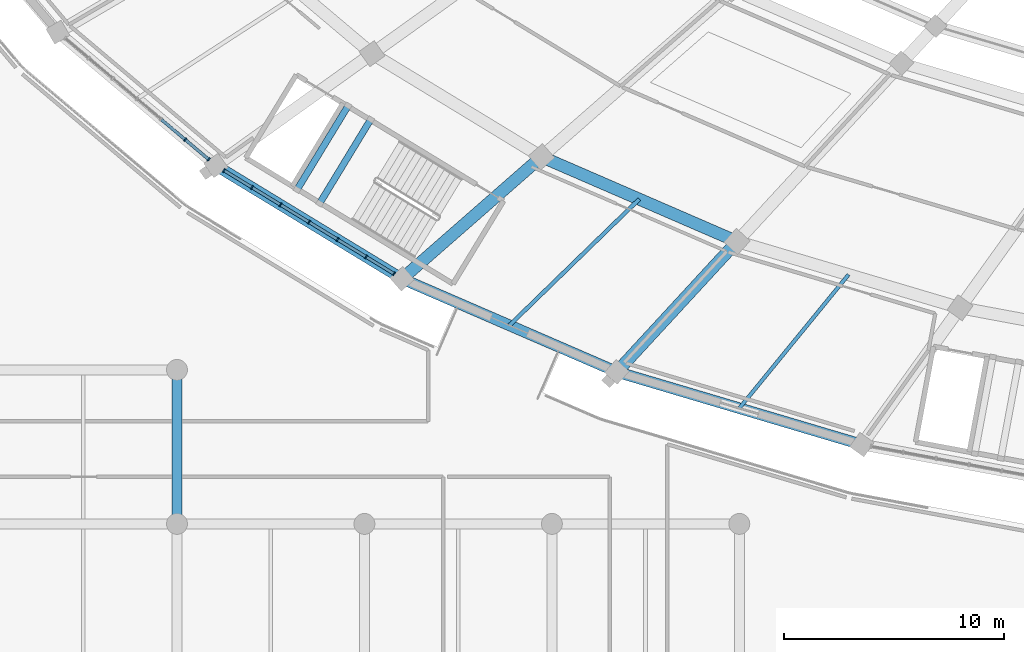
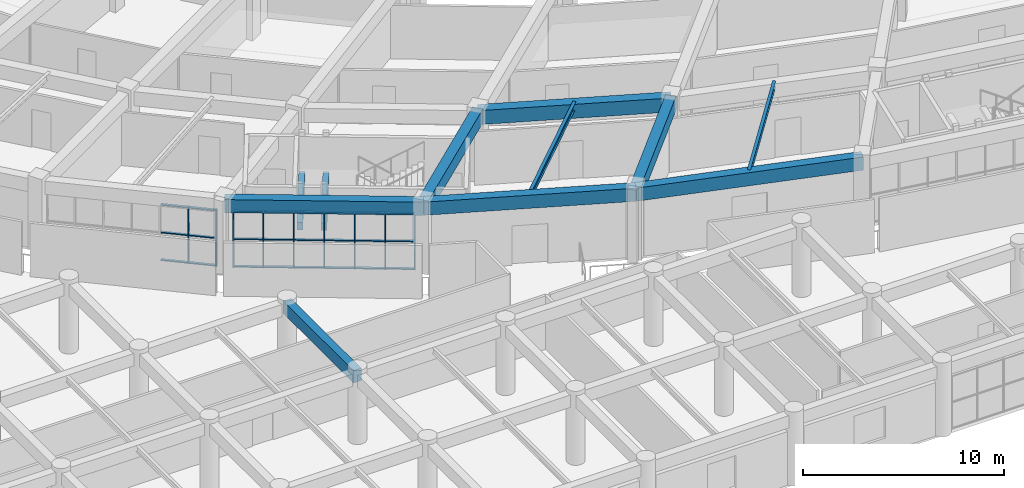
# One storey, part 15 of 145: 33 members, 11 beams, 2 elements without a shape of their own.
"""IFC4 building model written with IfcOpenShell, lengths in metres."""

import ifcopenshell
import ifcopenshell.guid

model = None  # the IFC model being written
_history = None  # IfcOwnerHistory: only IFC2X3 demands one
_inside = {}  # id of a spatial element -> (the spatial element, [elements in it])
_under = {}  # id of a project, library or spatial element -> (it, [spatial elements below it])
_declared = {}  # id of a project -> (the project, [libraries it declares])
_typed = {}  # id of a type object -> (the type object, [elements of that type])
_made_of = {}  # id of a material, layer set ... -> (it, [elements and type objects made of it])


def new_model(schema):
    """Start an empty IFC model of exactly this schema.

    Asked for "IFC4X3", IfcOpenShell would pick the latest addendum, in which some entities
    have other attributes; the version numbers below select the first issue.
    IFC2X3 requires an IfcOwnerHistory on every rooted entity: one is made here for all.
    """
    global model, _history
    if schema == "IFC4X3":
        model = ifcopenshell.file(schema_version=(4, 3, 0, 0))
    else:
        model = ifcopenshell.file(schema=schema)
    _inside.clear()
    _under.clear()
    _declared.clear()
    _typed.clear()
    _made_of.clear()
    _history = None
    if model.schema == "IFC2X3":
        org = make("IfcOrganization", Name="unknown")
        user = make(
            "IfcPersonAndOrganization",
            ThePerson=make("IfcPerson", FamilyName="unknown"),
            TheOrganization=org,
        )
        app = make(
            "IfcApplication",
            ApplicationDeveloper=org,
            Version="unknown",
            ApplicationFullName="unknown",
            ApplicationIdentifier="unknown",
        )
        _history = make(
            "IfcOwnerHistory",
            OwningUser=user,
            OwningApplication=app,
            ChangeAction="ADDED",
            CreationDate=0,
        )
    return model


def make(cls, **values):
    """One entity of the class cls with the attributes given. An attribute that is None is left unset."""
    return model.create_entity(
        cls, **{name: value for name, value in values.items() if value is not None}
    )


def rooted(cls, **values):
    """An entity with a GlobalId (a new one), such as an element, a storey or a relation."""
    return make(cls, GlobalId=ifcopenshell.guid.new(), OwnerHistory=_history, **values)


def si_unit(unit_type, name, prefix=None):
    """IfcSIUnit, for example si_unit("LENGTHUNIT", "METRE", prefix="MILLI")."""
    return make("IfcSIUnit", UnitType=unit_type, Prefix=prefix, Name=name)


def assignment(units):
    """IfcUnitAssignment: the units of a project."""
    return None if units is None else make("IfcUnitAssignment", Units=units)


def point(xyz):
    """IfcCartesianPoint."""
    return None if xyz is None else make("IfcCartesianPoint", Coordinates=xyz)


def direction(xyz):
    """IfcDirection."""
    return None if xyz is None else make("IfcDirection", DirectionRatios=xyz)


def frame(location, z_axis=None, x_axis=None):
    """IfcAxis2Placement3D, a coordinate frame: its origin and axes. An axis left out is left unset."""
    return make(
        "IfcAxis2Placement3D",
        Location=point(location),
        Axis=direction(z_axis),
        RefDirection=direction(x_axis),
    )


def frame_2d(location, x_axis=None):
    """IfcAxis2Placement2D, a coordinate frame in the plane: its origin and x axis."""
    return make(
        "IfcAxis2Placement2D", Location=point(location), RefDirection=direction(x_axis)
    )


def origin():
    """The frame at (0, 0, 0) with its axes left unset."""
    return frame((0.0, 0.0, 0.0))


def origin_2d():
    """The frame at (0, 0) in the plane with its x axis left unset."""
    return frame_2d((0.0, 0.0))


def place(relative_to, where):
    """IfcLocalPlacement: puts the frame where relative to a parent placement (None: the world)."""
    return make(
        "IfcLocalPlacement", PlacementRelTo=relative_to, RelativePlacement=where
    )


def context(
    kind, dimensions, precision=None, world=None, true_north=None, identifier=None
):
    """IfcGeometricRepresentationContext, for example the 3D "Model" context."""
    return make(
        "IfcGeometricRepresentationContext",
        ContextIdentifier=identifier,
        ContextType=kind,
        CoordinateSpaceDimension=dimensions,
        Precision=precision,
        WorldCoordinateSystem=world,
        TrueNorth=true_north,
    )


def subcontext(parent, identifier, kind, view, scale=None):
    """IfcGeometricRepresentationSubContext, for example "Body" below "Model"."""
    return make(
        "IfcGeometricRepresentationSubContext",
        ContextIdentifier=identifier,
        ContextType=kind,
        ParentContext=parent,
        TargetScale=scale,
        TargetView=view,
    )


def project(units=None, contexts=None):
    """IfcProject with its units and contexts."""
    return rooted(
        "IfcProject",
        Name="project",
        RepresentationContexts=contexts,
        UnitsInContext=assignment(units),
    )


def spatial(cls, under=None, at=None, **own):
    """A site, building, storey or space (cls), placed at a placement, below another one or the project."""
    s = rooted(cls, ObjectPlacement=at, **own)
    if under is not None:
        _under.setdefault(under.id(), (under, []))[1].append(s)
    return s


def profile(cls, at=None, kind="AREA", **sizes):
    """A parametric profile (cls). Its sizes go by their IFC names, for example OverallWidth=200.0."""
    return make(cls, ProfileType=kind, Position=at, **sizes)


def rectangle(**sizes):
    """IfcRectangleProfileDef."""
    return profile("IfcRectangleProfileDef", **sizes)


def i_section(**sizes):
    """IfcIShapeProfileDef."""
    return profile("IfcIShapeProfileDef", **sizes)


def extrude(swept, where, along, depth):
    """IfcExtrudedAreaSolid: the profile swept, set in the frame where, extruded along a direction by depth."""
    return make(
        "IfcExtrudedAreaSolid",
        SweptArea=swept,
        Position=where,
        ExtrudedDirection=direction(along),
        Depth=depth,
    )


def shape(context_of_items, identifier, shape_type, items):
    """IfcShapeRepresentation: the items that make up one representation, for example the "Body"."""
    return make(
        "IfcShapeRepresentation",
        ContextOfItems=context_of_items,
        RepresentationIdentifier=identifier,
        RepresentationType=shape_type,
        Items=items,
    )


def material(Name=None, Category=None):
    """IfcMaterial."""
    return make("IfcMaterial", Name=Name, Category=Category)


def layer(
    of_material, thickness, ventilated=None, Name=None, Category=None, Priority=None
):
    """IfcMaterialLayer: one layer of a wall or slab, of a material (None: an air gap)."""
    return make(
        "IfcMaterialLayer",
        Material=of_material,
        LayerThickness=thickness,
        IsVentilated=ventilated,
        Name=Name,
        Category=Category,
        Priority=Priority,
    )


def layer_set(layers, Name=None):
    """IfcMaterialLayerSet."""
    return make("IfcMaterialLayerSet", MaterialLayers=layers, LayerSetName=Name)


def material_profile(
    of_material, cross_section, Name=None, Category=None, Priority=None
):
    """IfcMaterialProfile: a cross section and its material."""
    return make(
        "IfcMaterialProfile",
        Name=Name,
        Material=of_material,
        Profile=cross_section,
        Priority=Priority,
        Category=Category,
    )


def profile_set(profiles, Name=None, composite=None):
    """IfcMaterialProfileSet."""
    return make(
        "IfcMaterialProfileSet",
        Name=Name,
        MaterialProfiles=profiles,
        CompositeProfile=composite,
    )


def made_of(thing, what):
    """Note that an element or type object is made of a material, layer set ...; save() writes the relation."""
    if what is not None:
        _made_of.setdefault(what.id(), (what, []))[1].append(thing)
    return thing


def type_object(cls, material=None, **own):
    """A type object (cls), such as IfcWallType, which elements share."""
    return made_of(rooted(cls, **own), material)


def element(
    cls,
    number,
    at=None,
    inside=None,
    cuts=None,
    type_object=None,
    material=None,
    context=None,
    identifier="Body",
    shape_type=None,
    held_by="IfcProductDefinitionShape",
    body=None,
    shapes=None,
    **own,
):
    """One element of the class cls, such as IfcWall. Its Tag is "e" and its number.

    at: its placement. inside: the storey or other place that contains it. cuts: it is an
    opening in that element (IfcRelVoidsElement). A single representation is given by context,
    identifier, shape_type and body (its items); several are given by shapes. held_by: the class
    of the entity that holds the representations. save() writes the other relations.
    """
    e = rooted(cls, Tag="e%d" % number, ObjectPlacement=at, **own)
    if body is not None:
        shapes = [shape(context, identifier, shape_type, body)]
    if shapes is not None:
        e.Representation = make(held_by, Representations=shapes)
    if inside is not None:
        _inside.setdefault(inside.id(), (inside, []))[1].append(e)
    if cuts is not None:
        rooted(
            "IfcRelVoidsElement", RelatingBuildingElement=cuts, RelatedOpeningElement=e
        )
    if type_object is not None:
        _typed.setdefault(type_object.id(), (type_object, []))[1].append(e)
    return made_of(e, material)


def aggregate(whole, parts):
    """IfcRelAggregates: a whole, such as a stair, and the parts it consists of."""
    return rooted("IfcRelAggregates", RelatingObject=whole, RelatedObjects=parts)


def save(model, path):
    """Write the relations noted so far, then the file.

    IfcRelAggregates (storeys below a building ...), IfcRelContainedInSpatialStructure (elements
    in a storey), IfcRelDefinesByType, IfcRelAssociatesMaterial and IfcRelDeclares: one each for
    every whole, place, type object, material and project.
    """
    for whole, parts in _under.values():
        aggregate(whole, parts)
    for where, things in _inside.values():
        rooted(
            "IfcRelContainedInSpatialStructure",
            RelatedElements=things,
            RelatingStructure=where,
        )
    for kind, things in _typed.values():
        rooted("IfcRelDefinesByType", RelatedObjects=things, RelatingType=kind)
    for what, things in _made_of.values():
        rooted("IfcRelAssociatesMaterial", RelatedObjects=things, RelatingMaterial=what)
    for by, libraries in _declared.values():
        rooted("IfcRelDeclares", RelatingContext=by, RelatedDefinitions=libraries)
    model.write(path)


model = new_model("IFC4")

# Units and contexts
model_context = context("Model", 3, precision=1e-05, world=origin(), true_north=direction((0.0, 1.0)))
body_context = subcontext(model_context, "Body", "Model", "MODEL_VIEW")
ifc_project = project(units=[si_unit("LENGTHUNIT", "METRE"), si_unit("AREAUNIT", "SQUARE_METRE"), si_unit("VOLUMEUNIT", "CUBIC_METRE"), si_unit("PLANEANGLEUNIT", "RADIAN"), si_unit("MASSUNIT", "GRAM", prefix="KILO")], contexts=[model_context])

# Site, building, storey
site_placement = place(None, origin())
site = spatial("IfcSite", under=ifc_project, at=site_placement, CompositionType="ELEMENT")
building_placement = place(site_placement, origin())
building = spatial("IfcBuilding", under=site, at=building_placement, Name="Mphavela Belvedere Stadium", CompositionType="ELEMENT")
storey_placement = place(building_placement, frame((0.0, 0.0, 10.199951171875)))
storey = spatial("IfcBuildingStorey", under=building, at=storey_placement, Name="L02", CompositionType="ELEMENT", Elevation=10.199951171875)

# Beams
ifc_material_1 = material(Name="Steel S355", Category="steel")
ifc_material_profile_1 = material_profile(ifc_material_1, i_section(OverallWidth=0.169921875, OverallDepth=0.360107421875, WebThickness=0.008056640625, FlangeThickness=0.0126953125, at=origin_2d()), Name="IPE 360")
ifc_profile_set_1 = profile_set([ifc_material_profile_1], Name="Steel S355")
beam_type_1 = type_object("IfcBeamType", Name="BM-JOIST-IPE360", PredefinedType="JOIST", material=ifc_profile_set_1)
beam_1_placement = place(storey_placement, frame((64.593017578125, 25.327392578125, 4.070068359375), z_axis=(-0.632839277586, -0.774283183818, 0.0), x_axis=(0.774283183818, -0.632839277586, 0.0)))
element("IfcBeam", 1, at=beam_1_placement, inside=storey, type_object=beam_type_1, Name="Concourse floor joist L02-33", PredefinedType="JOIST", context=body_context, shape_type="SweptSolid", body=[
    extrude(i_section(OverallWidth=0.169921875, OverallDepth=0.360107421875, WebThickness=0.008056640625, FlangeThickness=0.0126953125, at=origin_2d()), origin(), (0.0, 0.0, 1.0), 7.841552734375),
])
ifc_material_2 = material(Name="Steel S355", Category="steel")
ifc_material_profile_2 = material_profile(ifc_material_2, i_section(OverallWidth=0.179931640625, OverallDepth=0.39990234375, WebThickness=0.008544921875, FlangeThickness=0.013427734375, at=origin_2d()), Name="IPE 400")
ifc_profile_set_2 = profile_set([ifc_material_profile_2], Name="Steel S355")
beam_type_2 = type_object("IfcBeamType", Name="BM-JOIST-IPE400", PredefinedType="JOIST", material=ifc_profile_set_2)
beam_2_placement = place(storey_placement, frame((55.081787109375, 28.757568359375, 4.050048828125), z_axis=(-0.717067022089, -0.697004222249, 0.0), x_axis=(0.697004222249, -0.717067022089, 0.0)))
element("IfcBeam", 2, at=beam_2_placement, inside=storey, type_object=beam_type_2, Name="Concourse floor joist L02-32", PredefinedType="JOIST", context=body_context, shape_type="SweptSolid", body=[
    extrude(i_section(OverallWidth=0.179931640625, OverallDepth=0.39990234375, WebThickness=0.008544921875, FlangeThickness=0.013427734375, at=origin_2d()), origin(), (0.0, 0.0, 1.0), 8.22607421875),
])
ifc_material_3 = material(Name="Concrete C40/50", Category="concrete")
ifc_material_profile_3 = material_profile(ifc_material_3, rectangle(XDim=0.300048828125, YDim=0.449951171875, at=origin_2d()), Name="RC 300x450")
ifc_profile_set_3 = profile_set([ifc_material_profile_3], Name="Concrete C40/50")
beam_type_3 = type_object("IfcBeamType", Name="BM-RC300x450", PredefinedType="BEAM", material=ifc_profile_set_3)
for number, where, z_axis, x_axis, name in (
    (3, (42.879150390625, 32.381591796875, 1.824951171875), (-0.519674893272, -0.854364094109, 0.0), (0.854364094109, -0.519674893272, 0.0), "Core C10 landing trimmer beam L02-1"),
    (4, (41.85400390625, 33.005126953125, 1.824951171875), (-0.519674893272, -0.854364094109, 0.0), (0.854364094109, -0.519674893272, 0.0), "Core C10 landing trimmer beam L02-2"),
):
    element("IfcBeam", number, at=place(storey_placement, frame(where, z_axis=z_axis, x_axis=x_axis)), inside=storey, type_object=beam_type_3, Name=name, PredefinedType="BEAM", context=body_context, shape_type="SweptSolid", body=[
        extrude(rectangle(XDim=0.300048828125, YDim=0.449951171875, at=origin_2d()), origin(), (0.0, 0.0, 1.0), 4.47021484375),
    ])
ifc_material_4 = material(Name="Concrete C40/50", Category="concrete")
ifc_material_profile_4 = material_profile(ifc_material_4, rectangle(XDim=0.449951171875, YDim=0.75, at=origin_2d()), Name="RC 450x750")
ifc_profile_set_4 = profile_set([ifc_material_profile_4], Name="Concrete C40/50")
beam_type_4 = type_object("IfcBeamType", Name="BM-RC450x750", PredefinedType="BEAM", material=ifc_profile_set_4)
beam_3_placement = place(storey_placement, frame((34.073974609375, 14.0, 3.864990234375), z_axis=(0.0, 1.0, 0.0), x_axis=(-1.0, 0.0, 0.0)))
element("IfcBeam", 5, at=beam_3_placement, inside=storey, type_object=beam_type_4, Name="South Axial Triumphal Peristyle Portico entablature beam Y L02 5-3", PredefinedType="BEAM", context=body_context, shape_type="SweptSolid", body=[
    extrude(rectangle(XDim=0.449951171875, YDim=0.75, at=origin_2d()), origin(), (0.0, 0.0, 1.0), 7.0),
])
ifc_material_5 = material(Name="Concrete C40/50", Category="concrete")
ifc_material_profile_5 = material_profile(ifc_material_5, rectangle(XDim=0.550048828125, YDim=0.85009765625, at=origin_2d()), Name="RC 550x850")
ifc_profile_set_5 = profile_set([ifc_material_profile_5], Name="Concrete C40/50")
beam_type_5 = type_object("IfcBeamType", Name="BM-RC550x850", PredefinedType="BEAM", material=ifc_profile_set_5)
beam_4_placement = place(storey_placement, frame((50.639892578125, 30.68310546875, 3.824951171875), z_axis=(0.917501650019, -0.397731972832, 0.0), x_axis=(0.397731972832, 0.917501650019, 0.0)))
element("IfcBeam", 6, at=beam_4_placement, inside=storey, type_object=beam_type_5, Name="Circumferential girder L02 R3-32", PredefinedType="BEAM", context=body_context, shape_type="SweptSolid", body=[
    extrude(rectangle(XDim=0.550048828125, YDim=0.85009765625, at=origin_2d()), origin(), (0.0, 0.0, 1.0), 9.6826171875),
])
beam_5_placement = place(storey_placement, frame((50.639892578125, 30.68310546875, 3.824951171875), z_axis=(-0.752589268993, -0.658490236978, 0.0), x_axis=(0.658490236978, -0.752589268993, 0.0)))
element("IfcBeam", 7, at=beam_5_placement, inside=storey, type_object=beam_type_5, Name="Radial concourse girder L02 R3R4-32", PredefinedType="BEAM", context=body_context, shape_type="SweptSolid", body=[
    extrude(rectangle(XDim=0.550048828125, YDim=0.85009765625, at=origin_2d()), origin(), (0.0, 0.0, 1.0), 8.419189453125),
])
beam_6_placement = place(storey_placement, frame((59.523681640625, 26.83203125, 3.824951171875), z_axis=(-0.67784325477, -0.735206448532, 0.0), x_axis=(0.735206448532, -0.67784325477, 0.0)))
element("IfcBeam", 8, at=beam_6_placement, inside=storey, type_object=beam_type_5, Name="Radial concourse girder L02 R3R4-33", PredefinedType="BEAM", context=body_context, shape_type="SweptSolid", body=[
    extrude(rectangle(XDim=0.550048828125, YDim=0.85009765625, at=origin_2d()), origin(), (0.0, 0.0, 1.0), 8.056640625),
])
ifc_material_6 = material(Name="Concrete C40/50", Category="concrete")
ifc_material_profile_6 = material_profile(ifc_material_6, rectangle(XDim=0.5, YDim=0.800048828125, at=origin_2d()), Name="RC 500x800")
ifc_profile_set_6 = profile_set([ifc_material_profile_6], Name="Concrete C40/50")
beam_type_6 = type_object("IfcBeamType", Name="BM-SPANDREL-800", PredefinedType="SPANDREL", material=ifc_profile_set_6)
beam_7_placement = place(storey_placement, frame((35.844482421875, 30.285400390625, 3.85009765625), z_axis=(0.854326607994, -0.51973651678, 0.0), x_axis=(0.51973651678, 0.854326607994, 0.0)))
element("IfcBeam", 9, at=beam_7_placement, inside=storey, type_object=beam_type_6, Name="Circumferential girder L02 R4-31", PredefinedType="SPANDREL", context=body_context, shape_type="SweptSolid", body=[
    extrude(rectangle(XDim=0.5, YDim=0.800048828125, at=origin_2d()), origin(), (0.0, 0.0, 1.0), 9.901611328125),
])
beam_8_placement = place(storey_placement, frame((44.3037109375, 25.13916015625, 3.85009765625), z_axis=(0.91749867224, -0.397738842004, 0.0), x_axis=(0.397738842004, 0.91749867224, 0.0)))
element("IfcBeam", 10, at=beam_8_placement, inside=storey, type_object=beam_type_6, Name="Circumferential girder L02 R4-32", PredefinedType="SPANDREL", context=body_context, shape_type="SweptSolid", body=[
    extrude(rectangle(XDim=0.5, YDim=0.800048828125, at=origin_2d()), origin(), (0.0, 0.0, 1.0), 10.63623046875),
])
beam_9_placement = place(storey_placement, frame((54.0625, 20.90869140625, 3.85009765625), z_axis=(0.958656362639, -0.284566298727, 0.0), x_axis=(0.284566298727, 0.958656362639, 0.0)))
element("IfcBeam", 11, at=beam_9_placement, inside=storey, type_object=beam_type_6, Name="Circumferential girder L02 R4-33", PredefinedType="SPANDREL", context=body_context, shape_type="SweptSolid", body=[
    extrude(rectangle(XDim=0.5, YDim=0.800048828125, at=origin_2d()), origin(), (0.0, 0.0, 1.0), 11.616455078125),
])

# Curtain wall, members
ifc_material_7 = material(Name="Anodised bronze unitised curtain wall framing")
ifc_layer_1 = layer(ifc_material_7, 0.205078125)
ifc_layer_set_1 = layer_set([ifc_layer_1], Name="Anodised bronze unitised curtain wall framing")
curtain_wall_type_1 = type_object("IfcCurtainWallType", Name="CW-UNIT-06", PredefinedType="USERDEFINED", material=ifc_layer_set_1)
curtain_wall_1_placement = place(storey_placement, origin())
curtain_wall_1 = element("IfcCurtainWall", 12, at=curtain_wall_1_placement, inside=storey, type_object=curtain_wall_type_1, Name="Belvedere colonnade curtain wall L02-30", ObjectType="UNITISED CURTAIN WALL", PredefinedType="USERDEFINED")
ifc_material_8 = material(Name="Anodised bronze extruded aluminium", Category="aluminium")
ifc_material_profile_7 = material_profile(ifc_material_8, rectangle(XDim=0.179931640625, YDim=0.06494140625, at=origin_2d()), Name="CW-MUL 180x65")
ifc_profile_set_7 = profile_set([ifc_material_profile_7], Name="Anodised bronze extruded aluminium")
member_type_1 = type_object("IfcMemberType", Name="CWM-180x65", PredefinedType="MULLION", material=ifc_profile_set_7)
member_1_placement = place(storey_placement, frame((34.444580078125, 31.466796875, 0.0), z_axis=(0.0, 0.0, 1.0), x_axis=(0.644907225915, 0.764260865126, 0.0)))
member_1 = element("IfcMember", 13, at=member_1_placement, type_object=member_type_1, Name="CW-06 mullion 6", PredefinedType="MULLION", context=body_context, shape_type="SweptSolid", body=[
    extrude(rectangle(XDim=0.179931640625, YDim=0.06494140625, at=origin_2d()), origin(), (0.0, 0.0, 1.0), 3.420166015625),
])
member_2_placement = place(storey_placement, frame((35.515380859375, 30.563232421875, 0.0), z_axis=(0.0, 0.0, 1.0), x_axis=(0.644907225915, 0.764260865126, 0.0)))
member_2 = element("IfcMember", 14, at=member_2_placement, type_object=member_type_1, Name="CW-06 mullion 7", PredefinedType="MULLION", context=body_context, shape_type="SweptSolid", body=[
    extrude(rectangle(XDim=0.179931640625, YDim=0.06494140625, at=origin_2d()), origin(), (0.0, 0.0, 1.0), 3.420166015625),
])

ifc_material_9 = material(Name="Anodised bronze unitised curtain wall framing")
ifc_layer_2 = layer(ifc_material_9, 0.179931640625)
ifc_layer_set_2 = layer_set([ifc_layer_2], Name="Anodised bronze unitised curtain wall framing")
curtain_wall_type_2 = type_object("IfcCurtainWallType", Name="CW-UNIT-01", PredefinedType="USERDEFINED", material=ifc_layer_set_2)
curtain_wall_2_placement = place(storey_placement, origin())
curtain_wall_2 = element("IfcCurtainWall", 15, at=curtain_wall_2_placement, inside=storey, type_object=curtain_wall_type_2, Name="Belvedere colonnade curtain wall L02-31", ObjectType="UNITISED CURTAIN WALL", PredefinedType="USERDEFINED")
member_3_placement = place(storey_placement, frame((36.212158203125, 30.061767578125, 0.0), z_axis=(0.0, 0.0, 1.0), x_axis=(0.519731623633, 0.85432958476, 0.0)))
member_3 = element("IfcMember", 16, at=member_3_placement, type_object=member_type_1, Name="CW-01 mullion 1", PredefinedType="MULLION", context=body_context, shape_type="SweptSolid", body=[
    extrude(rectangle(XDim=0.179931640625, YDim=0.06494140625, at=origin_2d()), origin(), (0.0, 0.0, 1.0), 3.420166015625),
])
member_4_placement = place(storey_placement, frame((37.48095703125, 29.289794921875, 0.0), z_axis=(0.0, 0.0, 1.0), x_axis=(0.519731623633, 0.85432958476, 0.0)))
member_4 = element("IfcMember", 17, at=member_4_placement, type_object=member_type_1, Name="CW-01 mullion 2", PredefinedType="MULLION", context=body_context, shape_type="SweptSolid", body=[
    extrude(rectangle(XDim=0.179931640625, YDim=0.06494140625, at=origin_2d()), origin(), (0.0, 0.0, 1.0), 3.420166015625),
])
member_5_placement = place(storey_placement, frame((38.777587890625, 28.5009765625, 0.0), z_axis=(0.0, 0.0, 1.0), x_axis=(0.519731623633, 0.85432958476, 0.0)))
member_5 = element("IfcMember", 18, at=member_5_placement, type_object=member_type_1, Name="CW-01 mullion 3", PredefinedType="MULLION", context=body_context, shape_type="SweptSolid", body=[
    extrude(rectangle(XDim=0.179931640625, YDim=0.06494140625, at=origin_2d()), origin(), (0.0, 0.0, 1.0), 3.420166015625),
])
member_6_placement = place(storey_placement, frame((40.07421875, 27.71240234375, 0.0), z_axis=(0.0, 0.0, 1.0), x_axis=(0.519731623633, 0.85432958476, 0.0)))
member_6 = element("IfcMember", 19, at=member_6_placement, type_object=member_type_1, Name="CW-01 mullion 4", PredefinedType="MULLION", context=body_context, shape_type="SweptSolid", body=[
    extrude(rectangle(XDim=0.179931640625, YDim=0.06494140625, at=origin_2d()), origin(), (0.0, 0.0, 1.0), 3.420166015625),
])
member_7_placement = place(storey_placement, frame((41.37060546875, 26.923583984375, 0.0), z_axis=(0.0, 0.0, 1.0), x_axis=(0.519731623633, 0.85432958476, 0.0)))
member_7 = element("IfcMember", 20, at=member_7_placement, type_object=member_type_1, Name="CW-01 mullion 5", PredefinedType="MULLION", context=body_context, shape_type="SweptSolid", body=[
    extrude(rectangle(XDim=0.179931640625, YDim=0.06494140625, at=origin_2d()), origin(), (0.0, 0.0, 1.0), 3.420166015625),
])
member_8_placement = place(storey_placement, frame((42.667236328125, 26.134765625, 0.0), z_axis=(0.0, 0.0, 1.0), x_axis=(0.519731623633, 0.85432958476, 0.0)))
member_8 = element("IfcMember", 21, at=member_8_placement, type_object=member_type_1, Name="CW-01 mullion 6", PredefinedType="MULLION", context=body_context, shape_type="SweptSolid", body=[
    extrude(rectangle(XDim=0.179931640625, YDim=0.06494140625, at=origin_2d()), origin(), (0.0, 0.0, 1.0), 3.420166015625),
])
member_9_placement = place(storey_placement, frame((43.93603515625, 25.36279296875, 0.0), z_axis=(0.0, 0.0, 1.0), x_axis=(0.519731623633, 0.85432958476, 0.0)))
member_9 = element("IfcMember", 22, at=member_9_placement, type_object=member_type_1, Name="CW-01 mullion 7", PredefinedType="MULLION", context=body_context, shape_type="SweptSolid", body=[
    extrude(rectangle(XDim=0.179931640625, YDim=0.06494140625, at=origin_2d()), origin(), (0.0, 0.0, 1.0), 3.420166015625),
])

# Member
ifc_material_10 = material(Name="Anodised bronze extruded aluminium", Category="aluminium")
ifc_material_profile_8 = material_profile(ifc_material_10, rectangle(XDim=0.139892578125, YDim=0.06005859375, at=origin_2d()), Name="CW-TRN 140x60")
ifc_profile_set_8 = profile_set([ifc_material_profile_8], Name="Anodised bronze extruded aluminium")
member_type_2 = type_object("IfcMemberType", Name="CWT-140x60", PredefinedType="USERDEFINED", material=ifc_profile_set_8)
member_10_placement = place(storey_placement, frame((33.37353515625, 32.370361328125, 0.030029296875), z_axis=(0.764332692147, -0.644822096175, 0.0), x_axis=(0.644822096175, 0.764332692147, 0.0)))
member_10 = element("IfcMember", 23, at=member_10_placement, type_object=member_type_2, Name="CW-06 transom 5.1", ObjectType="TRANSOM", PredefinedType="USERDEFINED", context=body_context, shape_type="SweptSolid", body=[
    extrude(rectangle(XDim=0.139892578125, YDim=0.06005859375, at=origin_2d()), origin(), (0.0, 0.0, 1.0), 1.36865234375),
])

member_11_placement = place(storey_placement, frame((33.37353515625, 32.370361328125, 1.7099609375), z_axis=(0.764332692147, -0.644822096175, 0.0), x_axis=(0.644822096175, 0.764332692147, 0.0)))
member_11 = element("IfcMember", 24, at=member_11_placement, type_object=member_type_2, Name="CW-06 transom 5.2", ObjectType="TRANSOM", PredefinedType="USERDEFINED", context=body_context, shape_type="SweptSolid", body=[
    extrude(rectangle(XDim=0.139892578125, YDim=0.06005859375, at=origin_2d()), origin(), (0.0, 0.0, 1.0), 1.36865234375),
])

member_12_placement = place(storey_placement, frame((33.37353515625, 32.370361328125, 3.39013671875), z_axis=(0.764332692147, -0.644822096175, 0.0), x_axis=(0.644822096175, 0.764332692147, 0.0)))
member_12 = element("IfcMember", 25, at=member_12_placement, type_object=member_type_2, Name="CW-06 transom 5.3", ObjectType="TRANSOM", PredefinedType="USERDEFINED", context=body_context, shape_type="SweptSolid", body=[
    extrude(rectangle(XDim=0.139892578125, YDim=0.06005859375, at=origin_2d()), origin(), (0.0, 0.0, 1.0), 1.36865234375),
])

member_13_placement = place(storey_placement, frame((34.46923828125, 31.44580078125, 0.030029296875), z_axis=(0.764328068464, -0.644827576766, 0.0), x_axis=(0.644827576766, 0.764328068464, 0.0)))
member_13 = element("IfcMember", 26, at=member_13_placement, type_object=member_type_2, Name="CW-06 transom 6.1", ObjectType="TRANSOM", PredefinedType="USERDEFINED", context=body_context, shape_type="SweptSolid", body=[
    extrude(rectangle(XDim=0.139892578125, YDim=0.06005859375, at=origin_2d()), origin(), (0.0, 0.0, 1.0), 1.336181640625),
])

member_14_placement = place(storey_placement, frame((34.46923828125, 31.44580078125, 1.7099609375), z_axis=(0.764328068464, -0.644827576766, 0.0), x_axis=(0.644827576766, 0.764328068464, 0.0)))
member_14 = element("IfcMember", 27, at=member_14_placement, type_object=member_type_2, Name="CW-06 transom 6.2", ObjectType="TRANSOM", PredefinedType="USERDEFINED", context=body_context, shape_type="SweptSolid", body=[
    extrude(rectangle(XDim=0.139892578125, YDim=0.06005859375, at=origin_2d()), origin(), (0.0, 0.0, 1.0), 1.336181640625),
])

member_15_placement = place(storey_placement, frame((34.46923828125, 31.44580078125, 3.39013671875), z_axis=(0.764328068464, -0.644827576766, 0.0), x_axis=(0.644827576766, 0.764328068464, 0.0)))
member_15 = element("IfcMember", 28, at=member_15_placement, type_object=member_type_2, Name="CW-06 transom 6.3", ObjectType="TRANSOM", PredefinedType="USERDEFINED", context=body_context, shape_type="SweptSolid", body=[
    extrude(rectangle(XDim=0.139892578125, YDim=0.06005859375, at=origin_2d()), origin(), (0.0, 0.0, 1.0), 1.336181640625),
])

aggregate(curtain_wall_1, [member_1, member_2, member_10, member_11, member_12, member_13, member_14, member_15])

member_16_placement = place(storey_placement, frame((36.239990234375, 30.044921875, 0.030029296875), z_axis=(0.8542450285, -0.5198705909, 0.0), x_axis=(0.5198705909, 0.8542450285, 0.0)))
member_16 = element("IfcMember", 29, at=member_16_placement, type_object=member_type_2, Name="CW-01 transom 1.1", ObjectType="TRANSOM", PredefinedType="USERDEFINED", context=body_context, shape_type="SweptSolid", body=[
    extrude(rectangle(XDim=0.139892578125, YDim=0.06005859375, at=origin_2d()), origin(), (0.0, 0.0, 1.0), 1.420166015625),
])

member_17_placement = place(storey_placement, frame((36.239990234375, 30.044921875, 1.7099609375), z_axis=(0.8542450285, -0.5198705909, 0.0), x_axis=(0.5198705909, 0.8542450285, 0.0)))
member_17 = element("IfcMember", 30, at=member_17_placement, type_object=member_type_2, Name="CW-01 transom 1.2", ObjectType="TRANSOM", PredefinedType="USERDEFINED", context=body_context, shape_type="SweptSolid", body=[
    extrude(rectangle(XDim=0.139892578125, YDim=0.06005859375, at=origin_2d()), origin(), (0.0, 0.0, 1.0), 1.420166015625),
])

member_18_placement = place(storey_placement, frame((36.239990234375, 30.044921875, 3.39013671875), z_axis=(0.8542450285, -0.5198705909, 0.0), x_axis=(0.5198705909, 0.8542450285, 0.0)))
member_18 = element("IfcMember", 31, at=member_18_placement, type_object=member_type_2, Name="CW-01 transom 1.3", ObjectType="TRANSOM", PredefinedType="USERDEFINED", context=body_context, shape_type="SweptSolid", body=[
    extrude(rectangle(XDim=0.139892578125, YDim=0.06005859375, at=origin_2d()), origin(), (0.0, 0.0, 1.0), 1.420166015625),
])

member_19_placement = place(storey_placement, frame((37.5087890625, 29.27294921875, 0.030029296875), z_axis=(0.854347821313, -0.519701645387, 0.0), x_axis=(0.519701645387, 0.854347821313, 0.0)))
member_19 = element("IfcMember", 32, at=member_19_placement, type_object=member_type_2, Name="CW-01 transom 2.1", ObjectType="TRANSOM", PredefinedType="USERDEFINED", context=body_context, shape_type="SweptSolid", body=[
    extrude(rectangle(XDim=0.139892578125, YDim=0.06005859375, at=origin_2d()), origin(), (0.0, 0.0, 1.0), 1.45263671875),
])

member_20_placement = place(storey_placement, frame((37.5087890625, 29.27294921875, 1.7099609375), z_axis=(0.854347821313, -0.519701645387, 0.0), x_axis=(0.519701645387, 0.854347821313, 0.0)))
member_20 = element("IfcMember", 33, at=member_20_placement, type_object=member_type_2, Name="CW-01 transom 2.2", ObjectType="TRANSOM", PredefinedType="USERDEFINED", context=body_context, shape_type="SweptSolid", body=[
    extrude(rectangle(XDim=0.139892578125, YDim=0.06005859375, at=origin_2d()), origin(), (0.0, 0.0, 1.0), 1.45263671875),
])

member_21_placement = place(storey_placement, frame((37.5087890625, 29.27294921875, 3.39013671875), z_axis=(0.854347821313, -0.519701645387, 0.0), x_axis=(0.519701645387, 0.854347821313, 0.0)))
member_21 = element("IfcMember", 34, at=member_21_placement, type_object=member_type_2, Name="CW-01 transom 2.3", ObjectType="TRANSOM", PredefinedType="USERDEFINED", context=body_context, shape_type="SweptSolid", body=[
    extrude(rectangle(XDim=0.139892578125, YDim=0.06005859375, at=origin_2d()), origin(), (0.0, 0.0, 1.0), 1.45263671875),
])

member_22_placement = place(storey_placement, frame((38.805419921875, 28.484130859375, 0.030029296875), z_axis=(0.854347821313, -0.519701645387, 0.0), x_axis=(0.519701645387, 0.854347821313, 0.0)))
member_22 = element("IfcMember", 35, at=member_22_placement, type_object=member_type_2, Name="CW-01 transom 3.1", ObjectType="TRANSOM", PredefinedType="USERDEFINED", context=body_context, shape_type="SweptSolid", body=[
    extrude(rectangle(XDim=0.139892578125, YDim=0.06005859375, at=origin_2d()), origin(), (0.0, 0.0, 1.0), 1.45263671875),
])

member_23_placement = place(storey_placement, frame((38.805419921875, 28.484130859375, 1.7099609375), z_axis=(0.854347821313, -0.519701645387, 0.0), x_axis=(0.519701645387, 0.854347821313, 0.0)))
member_23 = element("IfcMember", 36, at=member_23_placement, type_object=member_type_2, Name="CW-01 transom 3.2", ObjectType="TRANSOM", PredefinedType="USERDEFINED", context=body_context, shape_type="SweptSolid", body=[
    extrude(rectangle(XDim=0.139892578125, YDim=0.06005859375, at=origin_2d()), origin(), (0.0, 0.0, 1.0), 1.45263671875),
])

member_24_placement = place(storey_placement, frame((38.805419921875, 28.484130859375, 3.39013671875), z_axis=(0.854347821313, -0.519701645387, 0.0), x_axis=(0.519701645387, 0.854347821313, 0.0)))
member_24 = element("IfcMember", 37, at=member_24_placement, type_object=member_type_2, Name="CW-01 transom 3.3", ObjectType="TRANSOM", PredefinedType="USERDEFINED", context=body_context, shape_type="SweptSolid", body=[
    extrude(rectangle(XDim=0.139892578125, YDim=0.06005859375, at=origin_2d()), origin(), (0.0, 0.0, 1.0), 1.45263671875),
])

member_25_placement = place(storey_placement, frame((40.101806640625, 27.6953125, 0.030029296875), z_axis=(0.85439320808, -0.519627025843, 0.0), x_axis=(0.519627025843, 0.85439320808, 0.0)))
member_25 = element("IfcMember", 38, at=member_25_placement, type_object=member_type_2, Name="CW-01 transom 4.1", ObjectType="TRANSOM", PredefinedType="USERDEFINED", context=body_context, shape_type="SweptSolid", body=[
    extrude(rectangle(XDim=0.139892578125, YDim=0.06005859375, at=origin_2d()), origin(), (0.0, 0.0, 1.0), 1.45263671875),
])

member_26_placement = place(storey_placement, frame((40.101806640625, 27.6953125, 1.7099609375), z_axis=(0.85439320808, -0.519627025843, 0.0), x_axis=(0.519627025843, 0.85439320808, 0.0)))
member_26 = element("IfcMember", 39, at=member_26_placement, type_object=member_type_2, Name="CW-01 transom 4.2", ObjectType="TRANSOM", PredefinedType="USERDEFINED", context=body_context, shape_type="SweptSolid", body=[
    extrude(rectangle(XDim=0.139892578125, YDim=0.06005859375, at=origin_2d()), origin(), (0.0, 0.0, 1.0), 1.45263671875),
])

member_27_placement = place(storey_placement, frame((40.101806640625, 27.6953125, 3.39013671875), z_axis=(0.85439320808, -0.519627025843, 0.0), x_axis=(0.519627025843, 0.85439320808, 0.0)))
member_27 = element("IfcMember", 40, at=member_27_placement, type_object=member_type_2, Name="CW-01 transom 4.3", ObjectType="TRANSOM", PredefinedType="USERDEFINED", context=body_context, shape_type="SweptSolid", body=[
    extrude(rectangle(XDim=0.139892578125, YDim=0.06005859375, at=origin_2d()), origin(), (0.0, 0.0, 1.0), 1.45263671875),
])

member_28_placement = place(storey_placement, frame((41.3984375, 26.90673828125, 0.030029296875), z_axis=(0.854273190748, -0.519824312214, 0.0), x_axis=(0.519824312214, 0.854273190748, 0.0)))
member_28 = element("IfcMember", 41, at=member_28_placement, type_object=member_type_2, Name="CW-01 transom 5.1", ObjectType="TRANSOM", PredefinedType="USERDEFINED", context=body_context, shape_type="SweptSolid", body=[
    extrude(rectangle(XDim=0.139892578125, YDim=0.06005859375, at=origin_2d()), origin(), (0.0, 0.0, 1.0), 1.45263671875),
])

member_29_placement = place(storey_placement, frame((41.3984375, 26.90673828125, 1.7099609375), z_axis=(0.854273190748, -0.519824312214, 0.0), x_axis=(0.519824312214, 0.854273190748, 0.0)))
member_29 = element("IfcMember", 42, at=member_29_placement, type_object=member_type_2, Name="CW-01 transom 5.2", ObjectType="TRANSOM", PredefinedType="USERDEFINED", context=body_context, shape_type="SweptSolid", body=[
    extrude(rectangle(XDim=0.139892578125, YDim=0.06005859375, at=origin_2d()), origin(), (0.0, 0.0, 1.0), 1.45263671875),
])

member_30_placement = place(storey_placement, frame((41.3984375, 26.90673828125, 3.39013671875), z_axis=(0.854273190748, -0.519824312214, 0.0), x_axis=(0.519824312214, 0.854273190748, 0.0)))
member_30 = element("IfcMember", 43, at=member_30_placement, type_object=member_type_2, Name="CW-01 transom 5.3", ObjectType="TRANSOM", PredefinedType="USERDEFINED", context=body_context, shape_type="SweptSolid", body=[
    extrude(rectangle(XDim=0.139892578125, YDim=0.06005859375, at=origin_2d()), origin(), (0.0, 0.0, 1.0), 1.45263671875),
])

member_31_placement = place(storey_placement, frame((42.695068359375, 26.117919921875, 0.030029296875), z_axis=(0.854321372969, -0.519745121852, 0.0), x_axis=(0.519745121852, 0.854321372969, 0.0)))
member_31 = element("IfcMember", 44, at=member_31_placement, type_object=member_type_2, Name="CW-01 transom 6.1", ObjectType="TRANSOM", PredefinedType="USERDEFINED", context=body_context, shape_type="SweptSolid", body=[
    extrude(rectangle(XDim=0.139892578125, YDim=0.06005859375, at=origin_2d()), origin(), (0.0, 0.0, 1.0), 1.419921875),
])

member_32_placement = place(storey_placement, frame((42.695068359375, 26.117919921875, 1.7099609375), z_axis=(0.854321372969, -0.519745121852, 0.0), x_axis=(0.519745121852, 0.854321372969, 0.0)))
member_32 = element("IfcMember", 45, at=member_32_placement, type_object=member_type_2, Name="CW-01 transom 6.2", ObjectType="TRANSOM", PredefinedType="USERDEFINED", context=body_context, shape_type="SweptSolid", body=[
    extrude(rectangle(XDim=0.139892578125, YDim=0.06005859375, at=origin_2d()), origin(), (0.0, 0.0, 1.0), 1.419921875),
])

member_33_placement = place(storey_placement, frame((42.695068359375, 26.117919921875, 3.39013671875), z_axis=(0.854321372969, -0.519745121852, 0.0), x_axis=(0.519745121852, 0.854321372969, 0.0)))
member_33 = element("IfcMember", 46, at=member_33_placement, type_object=member_type_2, Name="CW-01 transom 6.3", ObjectType="TRANSOM", PredefinedType="USERDEFINED", context=body_context, shape_type="SweptSolid", body=[
    extrude(rectangle(XDim=0.139892578125, YDim=0.06005859375, at=origin_2d()), origin(), (0.0, 0.0, 1.0), 1.419921875),
])

aggregate(curtain_wall_2, [member_3, member_4, member_5, member_6, member_7, member_8, member_9, member_16, member_17, member_18, member_19, member_20, member_21, member_22, member_23, member_24, member_25, member_26, member_27, member_28, member_29, member_30, member_31, member_32, member_33])

save(model, "model.ifc")
